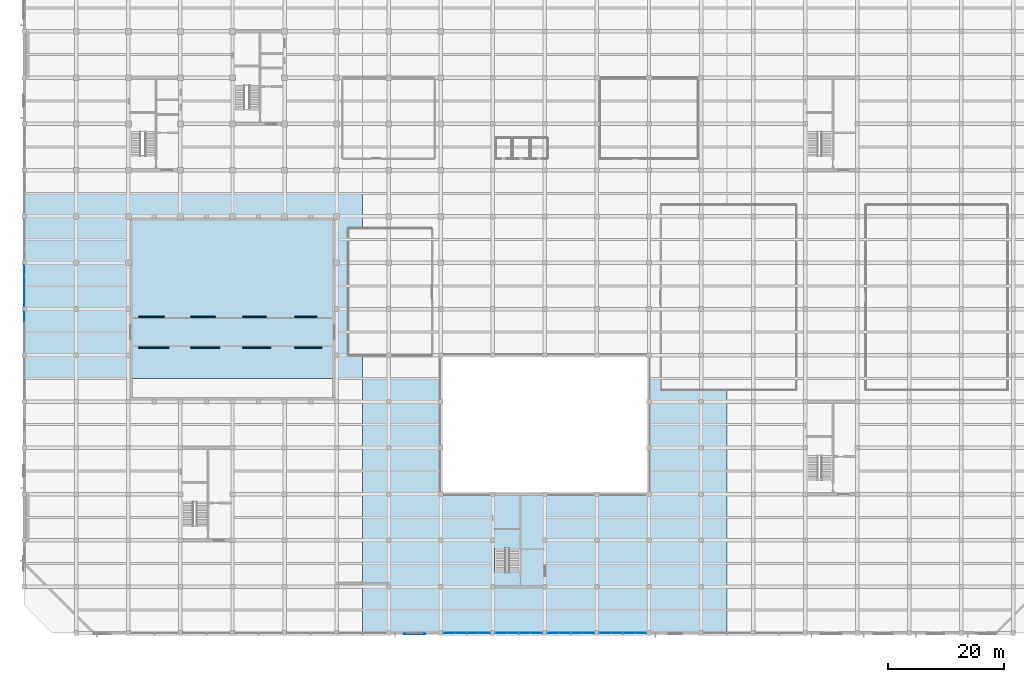
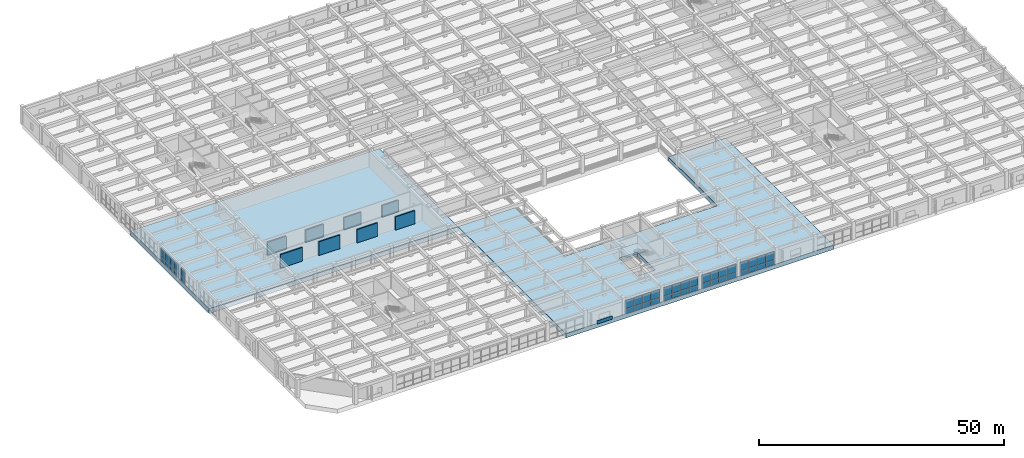
# One storey, part 21 of 50: 51 plates, 3 slabs, 7 elements without a shape of their own.
"""IFC4 building model written with IfcOpenShell, lengths in metres."""

from ifc_helpers import new_model, si_unit, direction, frame, frame_2d, origin, place, context, subcontext, project, spatial, polyline, rectangle, outline, extrude, material, layer, layer_set, type_object, element, aggregate, save


model = new_model("IFC4")

# Units and contexts
model_context = context("Model", 3, precision=1e-05, world=origin(), true_north=direction((0.0, 1.0)))
body_context = subcontext(model_context, "Body", "Model", "MODEL_VIEW")
ifc_project = project(units=[si_unit("LENGTHUNIT", "METRE"), si_unit("AREAUNIT", "SQUARE_METRE"), si_unit("VOLUMEUNIT", "CUBIC_METRE"), si_unit("PLANEANGLEUNIT", "RADIAN"), si_unit("MASSUNIT", "GRAM", prefix="KILO")], contexts=[model_context])

# Site, building, storey
site_placement = place(None, origin())
site = spatial("IfcSite", under=ifc_project, at=site_placement, CompositionType="ELEMENT")
building_placement = place(site_placement, origin())
building = spatial("IfcBuilding", under=site, at=building_placement, Name="Zaverband Oceanarium and Marine Research Institute", CompositionType="ELEMENT")
storey_placement = place(building_placement, frame((0.0, 0.0, 4.5)))
storey = spatial("IfcBuildingStorey", under=building, at=storey_placement, Name="L01", CompositionType="ELEMENT", Elevation=4.5)

# Plates
ifc_material_1 = material(Name="Monolithic cast polymethyl methacrylate (PMMA) viewing acrylic")
ifc_layer_1 = layer(ifc_material_1, 0.239990234375, Name="Monolithic cast polymethyl methacrylate (PMMA) viewing acrylic")
ifc_layer_set_1 = layer_set([ifc_layer_1], Name="Monolithic cast polymethyl methacrylate (PMMA) viewing acrylic")
plate_type_1 = type_object("IfcPlateType", Name="AP-3800x2900x240", PredefinedType="SHEET", material=ifc_layer_set_1)
plate_1_placement = place(storey_placement, frame((46.800048828125, 54.64990234375, 0.0), z_axis=(0.0, 0.0, 1.0), x_axis=(1.0, 0.0, 0.0)))
element("IfcPlate", 1, at=plate_1_placement, inside=storey, type_object=plate_type_1, Name="Monolithic cast-acrylic viewport / tunnel panel AP-3800x2900x240", PredefinedType="SHEET", context=body_context, shape_type="SweptSolid", body=[
    extrude(rectangle(XDim=3.800048828125, YDim=0.239990234375, at=frame_2d((1.89990234375, 0.0))), origin(), (0.0, 0.0, 1.0), 2.89990234375),
])
ifc_layer_2 = layer(ifc_material_1, 0.260009765625, Name="Monolithic cast polymethyl methacrylate (PMMA) viewing acrylic")
ifc_layer_set_2 = layer_set([ifc_layer_2], Name="Monolithic cast polymethyl methacrylate (PMMA) viewing acrylic")
plate_type_2 = type_object("IfcPlateType", Name="AP-4000x3000x260", PredefinedType="SHEET", material=ifc_layer_set_2)
plate_2_placement = place(storey_placement, frame((37.800048828125, 54.64990234375, 0.0), z_axis=(0.0, 0.0, 1.0), x_axis=(1.0, 0.0, 0.0)))
element("IfcPlate", 2, at=plate_2_placement, inside=storey, type_object=plate_type_2, Name="Monolithic cast-acrylic viewport / tunnel panel AP-4000x3000x260", PredefinedType="SHEET", context=body_context, shape_type="SweptSolid", body=[
    extrude(rectangle(XDim=4.0, YDim=0.260009765625, at=frame_2d((2.0, 0.0))), origin(), (0.0, 0.0, 1.0), 3.0),
])
ifc_layer_3 = layer(ifc_material_1, 0.280029296875, Name="Monolithic cast polymethyl methacrylate (PMMA) viewing acrylic")
ifc_layer_set_3 = layer_set([ifc_layer_3], Name="Monolithic cast polymethyl methacrylate (PMMA) viewing acrylic")
plate_type_3 = type_object("IfcPlateType", Name="AP-4200x3100x280", PredefinedType="SHEET", material=ifc_layer_set_3)
plate_3_placement = place(storey_placement, frame((28.800048828125, 54.64990234375, 0.0), z_axis=(0.0, 0.0, 1.0), x_axis=(1.0, 0.0, 0.0)))
element("IfcPlate", 3, at=plate_3_placement, inside=storey, type_object=plate_type_3, Name="Monolithic cast-acrylic viewport / tunnel panel AP-4200x3100x280", PredefinedType="SHEET", context=body_context, shape_type="SweptSolid", body=[
    extrude(rectangle(XDim=4.199951171875, YDim=0.280029296875, at=frame_2d((2.10009765625, 0.0))), origin(), (0.0, 0.0, 1.0), 3.10009765625),
])
ifc_layer_4 = layer(ifc_material_1, 0.280029296875, Name="Monolithic cast polymethyl methacrylate (PMMA) viewing acrylic")
ifc_layer_set_4 = layer_set([ifc_layer_4], Name="Monolithic cast polymethyl methacrylate (PMMA) viewing acrylic")
plate_type_4 = type_object("IfcPlateType", Name="AP-4400x3200x280", PredefinedType="SHEET", material=ifc_layer_set_4)
plate_4_placement = place(storey_placement, frame((19.800048828125, 54.64990234375, 0.0), z_axis=(0.0, 0.0, 1.0), x_axis=(1.0, 0.0, 0.0)))
element("IfcPlate", 4, at=plate_4_placement, inside=storey, type_object=plate_type_4, Name="Monolithic cast-acrylic viewport / tunnel panel AP-4400x3200x280", PredefinedType="SHEET", context=body_context, shape_type="SweptSolid", body=[
    extrude(rectangle(XDim=4.39990234375, YDim=0.280029296875, at=frame_2d((2.199951171875, 0.0))), origin(), (0.0, 0.0, 1.0), 3.199951171875),
])
ifc_layer_5 = layer(ifc_material_1, 0.300048828125, Name="Monolithic cast polymethyl methacrylate (PMMA) viewing acrylic")
ifc_layer_set_5 = layer_set([ifc_layer_5], Name="Monolithic cast polymethyl methacrylate (PMMA) viewing acrylic")
plate_type_5 = type_object("IfcPlateType", Name="AP-4600x3300x300", PredefinedType="SHEET", material=ifc_layer_set_5)
plate_5_placement = place(storey_placement, frame((46.800048828125, 49.35009765625, 0.0), z_axis=(0.0, 0.0, 1.0), x_axis=(1.0, 0.0, 0.0)))
element("IfcPlate", 5, at=plate_5_placement, inside=storey, type_object=plate_type_5, Name="Monolithic cast-acrylic viewport / tunnel panel AP-4600x3300x300", PredefinedType="SHEET", context=body_context, shape_type="SweptSolid", body=[
    extrude(rectangle(XDim=4.599853515625, YDim=0.300048828125, at=frame_2d((2.2998046875, 0.0))), origin(), (0.0, 0.0, 1.0), 3.300048828125),
])
ifc_layer_6 = layer(ifc_material_1, 0.300048828125, Name="Monolithic cast polymethyl methacrylate (PMMA) viewing acrylic")
ifc_layer_set_6 = layer_set([ifc_layer_6], Name="Monolithic cast polymethyl methacrylate (PMMA) viewing acrylic")
plate_type_6 = type_object("IfcPlateType", Name="AP-4800x3300x300", PredefinedType="SHEET", material=ifc_layer_set_6)
plate_6_placement = place(storey_placement, frame((37.800048828125, 49.35009765625, 0.0), z_axis=(0.0, 0.0, 1.0), x_axis=(1.0, 0.0, 0.0)))
element("IfcPlate", 6, at=plate_6_placement, inside=storey, type_object=plate_type_6, Name="Monolithic cast-acrylic viewport / tunnel panel AP-4800x3300x300", PredefinedType="SHEET", context=body_context, shape_type="SweptSolid", body=[
    extrude(rectangle(XDim=4.800048828125, YDim=0.300048828125, at=frame_2d((2.39990234375, 0.0))), origin(), (0.0, 0.0, 1.0), 3.300048828125),
])
ifc_layer_7 = layer(ifc_material_1, 0.320068359375, Name="Monolithic cast polymethyl methacrylate (PMMA) viewing acrylic")
ifc_layer_set_7 = layer_set([ifc_layer_7], Name="Monolithic cast polymethyl methacrylate (PMMA) viewing acrylic")
plate_type_7 = type_object("IfcPlateType", Name="AP-5000x3400x320", PredefinedType="SHEET", material=ifc_layer_set_7)
plate_7_placement = place(storey_placement, frame((28.800048828125, 49.35009765625, 0.0), z_axis=(0.0, 0.0, 1.0), x_axis=(1.0, 0.0, 0.0)))
element("IfcPlate", 7, at=plate_7_placement, inside=storey, type_object=plate_type_7, Name="Monolithic cast-acrylic viewport / tunnel panel AP-5000x3400x320", PredefinedType="SHEET", context=body_context, shape_type="SweptSolid", body=[
    extrude(rectangle(XDim=5.0, YDim=0.320068359375, at=frame_2d((2.5, 0.0))), origin(), (0.0, 0.0, 1.0), 3.39990234375),
])
ifc_layer_8 = layer(ifc_material_1, 0.320068359375, Name="Monolithic cast polymethyl methacrylate (PMMA) viewing acrylic")
ifc_layer_set_8 = layer_set([ifc_layer_8], Name="Monolithic cast polymethyl methacrylate (PMMA) viewing acrylic")
plate_type_8 = type_object("IfcPlateType", Name="AP-5200x3400x320", PredefinedType="SHEET", material=ifc_layer_set_8)
plate_8_placement = place(storey_placement, frame((19.800048828125, 49.35009765625, 0.0), z_axis=(0.0, 0.0, 1.0), x_axis=(1.0, 0.0, 0.0)))
element("IfcPlate", 8, at=plate_8_placement, inside=storey, type_object=plate_type_8, Name="Monolithic cast-acrylic viewport / tunnel panel AP-5200x3400x320", PredefinedType="SHEET", context=body_context, shape_type="SweptSolid", body=[
    extrude(rectangle(XDim=5.199951171875, YDim=0.320068359375, at=frame_2d((2.60009765625, 0.0))), origin(), (0.0, 0.0, 1.0), 3.39990234375),
])

# Curtain wall, plate
ifc_material_2 = material(Name="Thermally broken anodized aluminium and solar-control glass", Category="aluminium")
curtain_wall_type = type_object("IfcCurtainWallType", Name="CW-UNIT-1800", PredefinedType="NOTDEFINED", material=ifc_material_2)
curtain_wall_1_placement = place(storey_placement, origin())
curtain_wall_1 = element("IfcCurtainWall", 9, at=curtain_wall_1_placement, inside=storey, type_object=curtain_wall_type, Name="Unitised glazed curtain wall CW-030", PredefinedType="NOTDEFINED")
ifc_material_3 = material(Name="Low-E double-glazed solar-control glass", Category="glass")
ifc_layer_9 = layer(ifc_material_3, 0.033935546875, Name="Low-E double-glazed solar-control glass")
ifc_layer_set_9 = layer_set([ifc_layer_9], Name="Low-E double-glazed solar-control glass")
plate_type_9 = type_object("IfcPlateType", Name="CWP-1515x1211", PredefinedType="CURTAIN_PANEL", material=ifc_layer_set_9)
plate_9_placement = place(storey_placement, frame((0.0, 53.87744140625, 0.050048828125), z_axis=(0.0, 0.0, 1.0), x_axis=(0.0, 1.0, 0.0)))
plate_9 = element("IfcPlate", 10, at=plate_9_placement, type_object=plate_type_9, Name="Glazed curtain wall panel CWP-1515x1211", PredefinedType="CURTAIN_PANEL", context=body_context, shape_type="SweptSolid", body=[
    extrude(rectangle(XDim=1.637451171875, YDim=0.033935546875, at=frame_2d((0.81884765625, 0.0))), origin(), (0.0, 0.0, 1.0), 1.2109375),
])

# Curtain wall, plates
curtain_wall_2_placement = place(storey_placement, origin())
curtain_wall_2 = element("IfcCurtainWall", 11, at=curtain_wall_2_placement, inside=storey, type_object=curtain_wall_type, Name="Unitised glazed curtain wall CW-031", PredefinedType="NOTDEFINED")
plate_10_placement = place(storey_placement, frame((0.0, 56.485107421875, 0.050048828125), z_axis=(0.0, 0.0, 1.0), x_axis=(0.0, 1.0, 0.0)))
plate_10 = element("IfcPlate", 12, at=plate_10_placement, type_object=plate_type_9, Name="Glazed curtain wall panel CWP-1515x1211", PredefinedType="CURTAIN_PANEL", context=body_context, shape_type="SweptSolid", body=[
    extrude(rectangle(XDim=1.637451171875, YDim=0.033935546875, at=frame_2d((0.81884765625, 0.0))), origin(), (0.0, 0.0, 1.0), 1.2109375),
])
plate_11_placement = place(storey_placement, frame((0.0, 58.282470703125, 0.050048828125), z_axis=(0.0, 0.0, 1.0), x_axis=(0.0, 1.0, 0.0)))
plate_11 = element("IfcPlate", 13, at=plate_11_placement, type_object=plate_type_9, Name="Glazed curtain wall panel CWP-1515x1211", PredefinedType="CURTAIN_PANEL", context=body_context, shape_type="SweptSolid", body=[
    extrude(rectangle(XDim=1.637451171875, YDim=0.033935546875, at=frame_2d((0.81884765625, 0.0))), origin(), (0.0, 0.0, 1.0), 1.2109375),
])
plate_12_placement = place(storey_placement, frame((0.0, 60.080078125, 0.050048828125), z_axis=(0.0, 0.0, 1.0), x_axis=(0.0, 1.0, 0.0)))
plate_12 = element("IfcPlate", 14, at=plate_12_placement, type_object=plate_type_9, Name="Glazed curtain wall panel CWP-1515x1211", PredefinedType="CURTAIN_PANEL", context=body_context, shape_type="SweptSolid", body=[
    extrude(rectangle(XDim=1.637451171875, YDim=0.033935546875, at=frame_2d((0.81884765625, 0.0))), origin(), (0.0, 0.0, 1.0), 1.2109375),
])
plate_13_placement = place(storey_placement, frame((0.0, 61.87744140625, 0.050048828125), z_axis=(0.0, 0.0, 1.0), x_axis=(0.0, 1.0, 0.0)))
plate_13 = element("IfcPlate", 15, at=plate_13_placement, type_object=plate_type_9, Name="Glazed curtain wall panel CWP-1515x1211", PredefinedType="CURTAIN_PANEL", context=body_context, shape_type="SweptSolid", body=[
    extrude(rectangle(XDim=1.637451171875, YDim=0.033935546875, at=frame_2d((0.81884765625, 0.0))), origin(), (0.0, 0.0, 1.0), 1.2109375),
])

# Plate
ifc_layer_10 = layer(ifc_material_3, 0.035888671875, Name="Low-E double-glazed solar-control glass")
ifc_layer_set_10 = layer_set([ifc_layer_10], Name="Low-E double-glazed solar-control glass")
plate_type_10 = type_object("IfcPlateType", Name="CWP-1515x2089", PredefinedType="CURTAIN_PANEL", material=ifc_layer_set_10)
plate_14_placement = place(storey_placement, frame((0.0, 53.87744140625, 1.3310546875), z_axis=(0.0, 0.0, 1.0), x_axis=(0.0, 1.0, 0.0)))
plate_14 = element("IfcPlate", 16, at=plate_14_placement, type_object=plate_type_10, Name="Glazed curtain wall panel CWP-1515x2089", PredefinedType="CURTAIN_PANEL", context=body_context, shape_type="SweptSolid", body=[
    extrude(rectangle(XDim=1.637451171875, YDim=0.035888671875, at=frame_2d((0.81884765625, 0.0))), origin(), (0.0, 0.0, 1.0), 2.0888671875),
])

aggregate(curtain_wall_1, [plate_9, plate_14])

plate_15_placement = place(storey_placement, frame((0.0, 56.485107421875, 1.3310546875), z_axis=(0.0, 0.0, 1.0), x_axis=(0.0, 1.0, 0.0)))
plate_15 = element("IfcPlate", 17, at=plate_15_placement, type_object=plate_type_10, Name="Glazed curtain wall panel CWP-1515x2089", PredefinedType="CURTAIN_PANEL", context=body_context, shape_type="SweptSolid", body=[
    extrude(rectangle(XDim=1.637451171875, YDim=0.035888671875, at=frame_2d((0.81884765625, 0.0))), origin(), (0.0, 0.0, 1.0), 2.0888671875),
])

plate_16_placement = place(storey_placement, frame((0.0, 58.282470703125, 1.3310546875), z_axis=(0.0, 0.0, 1.0), x_axis=(0.0, 1.0, 0.0)))
plate_16 = element("IfcPlate", 18, at=plate_16_placement, type_object=plate_type_10, Name="Glazed curtain wall panel CWP-1515x2089", PredefinedType="CURTAIN_PANEL", context=body_context, shape_type="SweptSolid", body=[
    extrude(rectangle(XDim=1.637451171875, YDim=0.035888671875, at=frame_2d((0.81884765625, 0.0))), origin(), (0.0, 0.0, 1.0), 2.0888671875),
])

plate_17_placement = place(storey_placement, frame((0.0, 60.080078125, 1.3310546875), z_axis=(0.0, 0.0, 1.0), x_axis=(0.0, 1.0, 0.0)))
plate_17 = element("IfcPlate", 19, at=plate_17_placement, type_object=plate_type_10, Name="Glazed curtain wall panel CWP-1515x2089", PredefinedType="CURTAIN_PANEL", context=body_context, shape_type="SweptSolid", body=[
    extrude(rectangle(XDim=1.637451171875, YDim=0.035888671875, at=frame_2d((0.81884765625, 0.0))), origin(), (0.0, 0.0, 1.0), 2.0888671875),
])

plate_18_placement = place(storey_placement, frame((0.0, 61.87744140625, 1.3310546875), z_axis=(0.0, 0.0, 1.0), x_axis=(0.0, 1.0, 0.0)))
plate_18 = element("IfcPlate", 20, at=plate_18_placement, type_object=plate_type_10, Name="Glazed curtain wall panel CWP-1515x2089", PredefinedType="CURTAIN_PANEL", context=body_context, shape_type="SweptSolid", body=[
    extrude(rectangle(XDim=1.637451171875, YDim=0.035888671875, at=frame_2d((0.81884765625, 0.0))), origin(), (0.0, 0.0, 1.0), 2.0888671875),
])

aggregate(curtain_wall_2, [plate_10, plate_15, plate_11, plate_16, plate_12, plate_17, plate_13, plate_18])

# Curtain wall, plates
curtain_wall_3_placement = place(storey_placement, origin())
curtain_wall_3 = element("IfcCurtainWall", 21, at=curtain_wall_3_placement, inside=storey, type_object=curtain_wall_type, Name="Unitised glazed curtain wall CW-017", PredefinedType="NOTDEFINED")
ifc_layer_11 = layer(ifc_material_3, 0.033935546875, Name="Low-E double-glazed solar-control glass")
ifc_layer_set_11 = layer_set([ifc_layer_11], Name="Low-E double-glazed solar-control glass")
plate_type_11 = type_object("IfcPlateType", Name="CWP-1765x1211", PredefinedType="CURTAIN_PANEL", material=ifc_layer_set_11)
plate_19_placement = place(storey_placement, frame((72.485107421875, 0.0, 0.050048828125), z_axis=(0.0, 0.0, 1.0), x_axis=(1.0, 0.0, 0.0)))
plate_19 = element("IfcPlate", 22, at=plate_19_placement, type_object=plate_type_11, Name="Glazed curtain wall panel CWP-1765x1211", PredefinedType="CURTAIN_PANEL", context=body_context, shape_type="SweptSolid", body=[
    extrude(rectangle(XDim=1.887451171875, YDim=0.033935546875, at=frame_2d((0.94384765625, 0.0))), origin(), (0.0, 0.0, 1.0), 1.2109375),
])
plate_20_placement = place(storey_placement, frame((74.532470703125, 0.0, 0.050048828125), z_axis=(0.0, 0.0, 1.0), x_axis=(1.0, 0.0, 0.0)))
plate_20 = element("IfcPlate", 23, at=plate_20_placement, type_object=plate_type_11, Name="Glazed curtain wall panel CWP-1765x1211", PredefinedType="CURTAIN_PANEL", context=body_context, shape_type="SweptSolid", body=[
    extrude(rectangle(XDim=1.887451171875, YDim=0.033935546875, at=frame_2d((0.94384765625, 0.0))), origin(), (0.0, 0.0, 1.0), 1.2109375),
])
plate_21_placement = place(storey_placement, frame((76.580078125, 0.0, 0.050048828125), z_axis=(0.0, 0.0, 1.0), x_axis=(1.0, 0.0, 0.0)))
plate_21 = element("IfcPlate", 24, at=plate_21_placement, type_object=plate_type_11, Name="Glazed curtain wall panel CWP-1765x1211", PredefinedType="CURTAIN_PANEL", context=body_context, shape_type="SweptSolid", body=[
    extrude(rectangle(XDim=1.887451171875, YDim=0.033935546875, at=frame_2d((0.94384765625, 0.0))), origin(), (0.0, 0.0, 1.0), 1.2109375),
])
plate_22_placement = place(storey_placement, frame((78.62744140625, 0.0, 0.050048828125), z_axis=(0.0, 0.0, 1.0), x_axis=(1.0, 0.0, 0.0)))
plate_22 = element("IfcPlate", 25, at=plate_22_placement, type_object=plate_type_11, Name="Glazed curtain wall panel CWP-1765x1211", PredefinedType="CURTAIN_PANEL", context=body_context, shape_type="SweptSolid", body=[
    extrude(rectangle(XDim=1.887451171875, YDim=0.033935546875, at=frame_2d((0.94384765625, 0.0))), origin(), (0.0, 0.0, 1.0), 1.2109375),
])

curtain_wall_4_placement = place(storey_placement, origin())
curtain_wall_4 = element("IfcCurtainWall", 26, at=curtain_wall_4_placement, inside=storey, type_object=curtain_wall_type, Name="Unitised glazed curtain wall CW-018", PredefinedType="NOTDEFINED")
plate_23_placement = place(storey_placement, frame((81.485107421875, 0.0, 0.050048828125), z_axis=(0.0, 0.0, 1.0), x_axis=(1.0, 0.0, 0.0)))
plate_23 = element("IfcPlate", 27, at=plate_23_placement, type_object=plate_type_11, Name="Glazed curtain wall panel CWP-1765x1211", PredefinedType="CURTAIN_PANEL", context=body_context, shape_type="SweptSolid", body=[
    extrude(rectangle(XDim=1.887451171875, YDim=0.033935546875, at=frame_2d((0.94384765625, 0.0))), origin(), (0.0, 0.0, 1.0), 1.2109375),
])
plate_24_placement = place(storey_placement, frame((83.532470703125, 0.0, 0.050048828125), z_axis=(0.0, 0.0, 1.0), x_axis=(1.0, 0.0, 0.0)))
plate_24 = element("IfcPlate", 28, at=plate_24_placement, type_object=plate_type_11, Name="Glazed curtain wall panel CWP-1765x1211", PredefinedType="CURTAIN_PANEL", context=body_context, shape_type="SweptSolid", body=[
    extrude(rectangle(XDim=1.887451171875, YDim=0.033935546875, at=frame_2d((0.94384765625, 0.0))), origin(), (0.0, 0.0, 1.0), 1.2109375),
])
plate_25_placement = place(storey_placement, frame((85.580078125, 0.0, 0.050048828125), z_axis=(0.0, 0.0, 1.0), x_axis=(1.0, 0.0, 0.0)))
plate_25 = element("IfcPlate", 29, at=plate_25_placement, type_object=plate_type_11, Name="Glazed curtain wall panel CWP-1765x1211", PredefinedType="CURTAIN_PANEL", context=body_context, shape_type="SweptSolid", body=[
    extrude(rectangle(XDim=1.887451171875, YDim=0.033935546875, at=frame_2d((0.94384765625, 0.0))), origin(), (0.0, 0.0, 1.0), 1.2109375),
])
plate_26_placement = place(storey_placement, frame((87.62744140625, 0.0, 0.050048828125), z_axis=(0.0, 0.0, 1.0), x_axis=(1.0, 0.0, 0.0)))
plate_26 = element("IfcPlate", 30, at=plate_26_placement, type_object=plate_type_11, Name="Glazed curtain wall panel CWP-1765x1211", PredefinedType="CURTAIN_PANEL", context=body_context, shape_type="SweptSolid", body=[
    extrude(rectangle(XDim=1.887451171875, YDim=0.033935546875, at=frame_2d((0.94384765625, 0.0))), origin(), (0.0, 0.0, 1.0), 1.2109375),
])

curtain_wall_5_placement = place(storey_placement, origin())
curtain_wall_5 = element("IfcCurtainWall", 31, at=curtain_wall_5_placement, inside=storey, type_object=curtain_wall_type, Name="Unitised glazed curtain wall CW-019", PredefinedType="NOTDEFINED")
plate_27_placement = place(storey_placement, frame((90.485107421875, 0.0, 0.050048828125), z_axis=(0.0, 0.0, 1.0), x_axis=(1.0, 0.0, 0.0)))
plate_27 = element("IfcPlate", 32, at=plate_27_placement, type_object=plate_type_11, Name="Glazed curtain wall panel CWP-1765x1211", PredefinedType="CURTAIN_PANEL", context=body_context, shape_type="SweptSolid", body=[
    extrude(rectangle(XDim=1.887451171875, YDim=0.033935546875, at=frame_2d((0.94384765625, 0.0))), origin(), (0.0, 0.0, 1.0), 1.2109375),
])
plate_28_placement = place(storey_placement, frame((92.532470703125, 0.0, 0.050048828125), z_axis=(0.0, 0.0, 1.0), x_axis=(1.0, 0.0, 0.0)))
plate_28 = element("IfcPlate", 33, at=plate_28_placement, type_object=plate_type_11, Name="Glazed curtain wall panel CWP-1765x1211", PredefinedType="CURTAIN_PANEL", context=body_context, shape_type="SweptSolid", body=[
    extrude(rectangle(XDim=1.887451171875, YDim=0.033935546875, at=frame_2d((0.94384765625, 0.0))), origin(), (0.0, 0.0, 1.0), 1.2109375),
])
plate_29_placement = place(storey_placement, frame((94.580078125, 0.0, 0.050048828125), z_axis=(0.0, 0.0, 1.0), x_axis=(1.0, 0.0, 0.0)))
plate_29 = element("IfcPlate", 34, at=plate_29_placement, type_object=plate_type_11, Name="Glazed curtain wall panel CWP-1765x1211", PredefinedType="CURTAIN_PANEL", context=body_context, shape_type="SweptSolid", body=[
    extrude(rectangle(XDim=1.887451171875, YDim=0.033935546875, at=frame_2d((0.94384765625, 0.0))), origin(), (0.0, 0.0, 1.0), 1.2109375),
])
plate_30_placement = place(storey_placement, frame((96.62744140625, 0.0, 0.050048828125), z_axis=(0.0, 0.0, 1.0), x_axis=(1.0, 0.0, 0.0)))
plate_30 = element("IfcPlate", 35, at=plate_30_placement, type_object=plate_type_11, Name="Glazed curtain wall panel CWP-1765x1211", PredefinedType="CURTAIN_PANEL", context=body_context, shape_type="SweptSolid", body=[
    extrude(rectangle(XDim=1.887451171875, YDim=0.033935546875, at=frame_2d((0.94384765625, 0.0))), origin(), (0.0, 0.0, 1.0), 1.2109375),
])

curtain_wall_6_placement = place(storey_placement, origin())
curtain_wall_6 = element("IfcCurtainWall", 36, at=curtain_wall_6_placement, inside=storey, type_object=curtain_wall_type, Name="Unitised glazed curtain wall CW-020", PredefinedType="NOTDEFINED")
plate_31_placement = place(storey_placement, frame((99.485107421875, 0.0, 0.050048828125), z_axis=(0.0, 0.0, 1.0), x_axis=(1.0, 0.0, 0.0)))
plate_31 = element("IfcPlate", 37, at=plate_31_placement, type_object=plate_type_11, Name="Glazed curtain wall panel CWP-1765x1211", PredefinedType="CURTAIN_PANEL", context=body_context, shape_type="SweptSolid", body=[
    extrude(rectangle(XDim=1.887451171875, YDim=0.033935546875, at=frame_2d((0.94384765625, 0.0))), origin(), (0.0, 0.0, 1.0), 1.2109375),
])
plate_32_placement = place(storey_placement, frame((101.532470703125, 0.0, 0.050048828125), z_axis=(0.0, 0.0, 1.0), x_axis=(1.0, 0.0, 0.0)))
plate_32 = element("IfcPlate", 38, at=plate_32_placement, type_object=plate_type_11, Name="Glazed curtain wall panel CWP-1765x1211", PredefinedType="CURTAIN_PANEL", context=body_context, shape_type="SweptSolid", body=[
    extrude(rectangle(XDim=1.887451171875, YDim=0.033935546875, at=frame_2d((0.94384765625, 0.0))), origin(), (0.0, 0.0, 1.0), 1.2109375),
])
plate_33_placement = place(storey_placement, frame((103.580078125, 0.0, 0.050048828125), z_axis=(0.0, 0.0, 1.0), x_axis=(1.0, 0.0, 0.0)))
plate_33 = element("IfcPlate", 39, at=plate_33_placement, type_object=plate_type_11, Name="Glazed curtain wall panel CWP-1765x1211", PredefinedType="CURTAIN_PANEL", context=body_context, shape_type="SweptSolid", body=[
    extrude(rectangle(XDim=1.887451171875, YDim=0.033935546875, at=frame_2d((0.94384765625, 0.0))), origin(), (0.0, 0.0, 1.0), 1.2109375),
])
plate_34_placement = place(storey_placement, frame((105.62744140625, 0.0, 0.050048828125), z_axis=(0.0, 0.0, 1.0), x_axis=(1.0, 0.0, 0.0)))
plate_34 = element("IfcPlate", 40, at=plate_34_placement, type_object=plate_type_11, Name="Glazed curtain wall panel CWP-1765x1211", PredefinedType="CURTAIN_PANEL", context=body_context, shape_type="SweptSolid", body=[
    extrude(rectangle(XDim=1.887451171875, YDim=0.033935546875, at=frame_2d((0.94384765625, 0.0))), origin(), (0.0, 0.0, 1.0), 1.2109375),
])

# Plate
ifc_layer_12 = layer(ifc_material_3, 0.035888671875, Name="Low-E double-glazed solar-control glass")
ifc_layer_set_12 = layer_set([ifc_layer_12], Name="Low-E double-glazed solar-control glass")
plate_type_12 = type_object("IfcPlateType", Name="CWP-1765x2089", PredefinedType="CURTAIN_PANEL", material=ifc_layer_set_12)
plate_35_placement = place(storey_placement, frame((72.485107421875, 0.0, 1.3310546875), z_axis=(0.0, 0.0, 1.0), x_axis=(1.0, 0.0, 0.0)))
plate_35 = element("IfcPlate", 41, at=plate_35_placement, type_object=plate_type_12, Name="Glazed curtain wall panel CWP-1765x2089", PredefinedType="CURTAIN_PANEL", context=body_context, shape_type="SweptSolid", body=[
    extrude(rectangle(XDim=1.887451171875, YDim=0.035888671875, at=frame_2d((0.94384765625, 0.0))), origin(), (0.0, 0.0, 1.0), 2.0888671875),
])

plate_36_placement = place(storey_placement, frame((74.532470703125, 0.0, 1.3310546875), z_axis=(0.0, 0.0, 1.0), x_axis=(1.0, 0.0, 0.0)))
plate_36 = element("IfcPlate", 42, at=plate_36_placement, type_object=plate_type_12, Name="Glazed curtain wall panel CWP-1765x2089", PredefinedType="CURTAIN_PANEL", context=body_context, shape_type="SweptSolid", body=[
    extrude(rectangle(XDim=1.887451171875, YDim=0.035888671875, at=frame_2d((0.94384765625, 0.0))), origin(), (0.0, 0.0, 1.0), 2.0888671875),
])

plate_37_placement = place(storey_placement, frame((76.580078125, 0.0, 1.3310546875), z_axis=(0.0, 0.0, 1.0), x_axis=(1.0, 0.0, 0.0)))
plate_37 = element("IfcPlate", 43, at=plate_37_placement, type_object=plate_type_12, Name="Glazed curtain wall panel CWP-1765x2089", PredefinedType="CURTAIN_PANEL", context=body_context, shape_type="SweptSolid", body=[
    extrude(rectangle(XDim=1.887451171875, YDim=0.035888671875, at=frame_2d((0.94384765625, 0.0))), origin(), (0.0, 0.0, 1.0), 2.0888671875),
])

plate_38_placement = place(storey_placement, frame((78.62744140625, 0.0, 1.3310546875), z_axis=(0.0, 0.0, 1.0), x_axis=(1.0, 0.0, 0.0)))
plate_38 = element("IfcPlate", 44, at=plate_38_placement, type_object=plate_type_12, Name="Glazed curtain wall panel CWP-1765x2089", PredefinedType="CURTAIN_PANEL", context=body_context, shape_type="SweptSolid", body=[
    extrude(rectangle(XDim=1.887451171875, YDim=0.035888671875, at=frame_2d((0.94384765625, 0.0))), origin(), (0.0, 0.0, 1.0), 2.0888671875),
])

aggregate(curtain_wall_3, [plate_19, plate_35, plate_20, plate_36, plate_21, plate_37, plate_22, plate_38])

plate_39_placement = place(storey_placement, frame((81.485107421875, 0.0, 1.3310546875), z_axis=(0.0, 0.0, 1.0), x_axis=(1.0, 0.0, 0.0)))
plate_39 = element("IfcPlate", 45, at=plate_39_placement, type_object=plate_type_12, Name="Glazed curtain wall panel CWP-1765x2089", PredefinedType="CURTAIN_PANEL", context=body_context, shape_type="SweptSolid", body=[
    extrude(rectangle(XDim=1.887451171875, YDim=0.035888671875, at=frame_2d((0.94384765625, 0.0))), origin(), (0.0, 0.0, 1.0), 2.0888671875),
])

plate_40_placement = place(storey_placement, frame((83.532470703125, 0.0, 1.3310546875), z_axis=(0.0, 0.0, 1.0), x_axis=(1.0, 0.0, 0.0)))
plate_40 = element("IfcPlate", 46, at=plate_40_placement, type_object=plate_type_12, Name="Glazed curtain wall panel CWP-1765x2089", PredefinedType="CURTAIN_PANEL", context=body_context, shape_type="SweptSolid", body=[
    extrude(rectangle(XDim=1.887451171875, YDim=0.035888671875, at=frame_2d((0.94384765625, 0.0))), origin(), (0.0, 0.0, 1.0), 2.0888671875),
])

plate_41_placement = place(storey_placement, frame((85.580078125, 0.0, 1.3310546875), z_axis=(0.0, 0.0, 1.0), x_axis=(1.0, 0.0, 0.0)))
plate_41 = element("IfcPlate", 47, at=plate_41_placement, type_object=plate_type_12, Name="Glazed curtain wall panel CWP-1765x2089", PredefinedType="CURTAIN_PANEL", context=body_context, shape_type="SweptSolid", body=[
    extrude(rectangle(XDim=1.887451171875, YDim=0.035888671875, at=frame_2d((0.94384765625, 0.0))), origin(), (0.0, 0.0, 1.0), 2.0888671875),
])

plate_42_placement = place(storey_placement, frame((87.62744140625, 0.0, 1.3310546875), z_axis=(0.0, 0.0, 1.0), x_axis=(1.0, 0.0, 0.0)))
plate_42 = element("IfcPlate", 48, at=plate_42_placement, type_object=plate_type_12, Name="Glazed curtain wall panel CWP-1765x2089", PredefinedType="CURTAIN_PANEL", context=body_context, shape_type="SweptSolid", body=[
    extrude(rectangle(XDim=1.887451171875, YDim=0.035888671875, at=frame_2d((0.94384765625, 0.0))), origin(), (0.0, 0.0, 1.0), 2.0888671875),
])

aggregate(curtain_wall_4, [plate_23, plate_39, plate_24, plate_40, plate_25, plate_41, plate_26, plate_42])

plate_43_placement = place(storey_placement, frame((90.485107421875, 0.0, 1.3310546875), z_axis=(0.0, 0.0, 1.0), x_axis=(1.0, 0.0, 0.0)))
plate_43 = element("IfcPlate", 49, at=plate_43_placement, type_object=plate_type_12, Name="Glazed curtain wall panel CWP-1765x2089", PredefinedType="CURTAIN_PANEL", context=body_context, shape_type="SweptSolid", body=[
    extrude(rectangle(XDim=1.887451171875, YDim=0.035888671875, at=frame_2d((0.94384765625, 0.0))), origin(), (0.0, 0.0, 1.0), 2.0888671875),
])

plate_44_placement = place(storey_placement, frame((92.532470703125, 0.0, 1.3310546875), z_axis=(0.0, 0.0, 1.0), x_axis=(1.0, 0.0, 0.0)))
plate_44 = element("IfcPlate", 50, at=plate_44_placement, type_object=plate_type_12, Name="Glazed curtain wall panel CWP-1765x2089", PredefinedType="CURTAIN_PANEL", context=body_context, shape_type="SweptSolid", body=[
    extrude(rectangle(XDim=1.887451171875, YDim=0.035888671875, at=frame_2d((0.94384765625, 0.0))), origin(), (0.0, 0.0, 1.0), 2.0888671875),
])

plate_45_placement = place(storey_placement, frame((94.580078125, 0.0, 1.3310546875), z_axis=(0.0, 0.0, 1.0), x_axis=(1.0, 0.0, 0.0)))
plate_45 = element("IfcPlate", 51, at=plate_45_placement, type_object=plate_type_12, Name="Glazed curtain wall panel CWP-1765x2089", PredefinedType="CURTAIN_PANEL", context=body_context, shape_type="SweptSolid", body=[
    extrude(rectangle(XDim=1.887451171875, YDim=0.035888671875, at=frame_2d((0.94384765625, 0.0))), origin(), (0.0, 0.0, 1.0), 2.0888671875),
])

plate_46_placement = place(storey_placement, frame((96.62744140625, 0.0, 1.3310546875), z_axis=(0.0, 0.0, 1.0), x_axis=(1.0, 0.0, 0.0)))
plate_46 = element("IfcPlate", 52, at=plate_46_placement, type_object=plate_type_12, Name="Glazed curtain wall panel CWP-1765x2089", PredefinedType="CURTAIN_PANEL", context=body_context, shape_type="SweptSolid", body=[
    extrude(rectangle(XDim=1.887451171875, YDim=0.035888671875, at=frame_2d((0.94384765625, 0.0))), origin(), (0.0, 0.0, 1.0), 2.0888671875),
])

aggregate(curtain_wall_5, [plate_27, plate_43, plate_28, plate_44, plate_29, plate_45, plate_30, plate_46])

plate_47_placement = place(storey_placement, frame((99.485107421875, 0.0, 1.3310546875), z_axis=(0.0, 0.0, 1.0), x_axis=(1.0, 0.0, 0.0)))
plate_47 = element("IfcPlate", 53, at=plate_47_placement, type_object=plate_type_12, Name="Glazed curtain wall panel CWP-1765x2089", PredefinedType="CURTAIN_PANEL", context=body_context, shape_type="SweptSolid", body=[
    extrude(rectangle(XDim=1.887451171875, YDim=0.035888671875, at=frame_2d((0.94384765625, 0.0))), origin(), (0.0, 0.0, 1.0), 2.0888671875),
])

plate_48_placement = place(storey_placement, frame((101.532470703125, 0.0, 1.3310546875), z_axis=(0.0, 0.0, 1.0), x_axis=(1.0, 0.0, 0.0)))
plate_48 = element("IfcPlate", 54, at=plate_48_placement, type_object=plate_type_12, Name="Glazed curtain wall panel CWP-1765x2089", PredefinedType="CURTAIN_PANEL", context=body_context, shape_type="SweptSolid", body=[
    extrude(rectangle(XDim=1.887451171875, YDim=0.035888671875, at=frame_2d((0.94384765625, 0.0))), origin(), (0.0, 0.0, 1.0), 2.0888671875),
])

plate_49_placement = place(storey_placement, frame((103.580078125, 0.0, 1.3310546875), z_axis=(0.0, 0.0, 1.0), x_axis=(1.0, 0.0, 0.0)))
plate_49 = element("IfcPlate", 55, at=plate_49_placement, type_object=plate_type_12, Name="Glazed curtain wall panel CWP-1765x2089", PredefinedType="CURTAIN_PANEL", context=body_context, shape_type="SweptSolid", body=[
    extrude(rectangle(XDim=1.887451171875, YDim=0.035888671875, at=frame_2d((0.94384765625, 0.0))), origin(), (0.0, 0.0, 1.0), 2.0888671875),
])

plate_50_placement = place(storey_placement, frame((105.62744140625, 0.0, 1.3310546875), z_axis=(0.0, 0.0, 1.0), x_axis=(1.0, 0.0, 0.0)))
plate_50 = element("IfcPlate", 56, at=plate_50_placement, type_object=plate_type_12, Name="Glazed curtain wall panel CWP-1765x2089", PredefinedType="CURTAIN_PANEL", context=body_context, shape_type="SweptSolid", body=[
    extrude(rectangle(XDim=1.887451171875, YDim=0.035888671875, at=frame_2d((0.94384765625, 0.0))), origin(), (0.0, 0.0, 1.0), 2.0888671875),
])

aggregate(curtain_wall_6, [plate_31, plate_47, plate_32, plate_48, plate_33, plate_49, plate_34, plate_50])

ifc_material_4 = material(Name="Concrete C40/50 precast ochre", Category="concrete")
ifc_layer_13 = layer(ifc_material_4, 0.0849609375, Name="Concrete C40/50 precast ochre")
ifc_layer_set_13 = layer_set([ifc_layer_13], Name="Concrete C40/50 precast ochre")
plate_type_13 = type_object("IfcPlateType", Name="FRP-3600x800", PredefinedType="USERDEFINED", material=ifc_layer_set_13)
plate_51_placement = place(storey_placement, frame((65.699951171875, -0.197509765625, 0.0), z_axis=(0.0, 0.0, 1.0), x_axis=(1.0, 0.0, 0.0)))
element("IfcPlate", 57, at=plate_51_placement, inside=storey, type_object=plate_type_13, Name="Geometric precast facade cladding panel FRP-3600x800", ObjectType="FLANGE_PLATE", PredefinedType="USERDEFINED", context=body_context, shape_type="SweptSolid", body=[
    extrude(rectangle(XDim=3.60009765625, YDim=0.0849609375, at=frame_2d((1.800048828125, 0.0))), origin(), (0.0, 0.0, 1.0), 0.800048828125),
])

# Stair, slab
ifc_material_5 = material(Name="Concrete C40/50", Category="concrete")
stair_type = type_object("IfcStairType", Name="STR-POD-1800-4500", PredefinedType="HALF_TURN_STAIR", material=ifc_material_5)
stair_placement = place(storey_placement, origin())
stair = element("IfcStair", 58, at=stair_placement, inside=storey, type_object=stair_type, Name="Exit Stair ST-06 (L01)", PredefinedType="HALF_TURN_STAIR")
ifc_layer_14 = layer(ifc_material_5, 0.219970703125, Name="Concrete C40/50")
ifc_layer_set_14 = layer_set([ifc_layer_14], Name="Concrete C40/50")
slab_type_1 = type_object("IfcSlabType", Name="SLB-LND-220", PredefinedType="LANDING", material=ifc_layer_set_14)
slab_1_placement = place(storey_placement, frame((0.0, 0.0, 2.030029296875)))
slab_1 = element("IfcSlab", 59, at=slab_1_placement, type_object=slab_type_1, Name="Stair / ramp landing slab SLB-LND-220", PredefinedType="LANDING", context=body_context, shape_type="SweptSolid", body=[
    extrude(outline(polyline([(81.139892578125, 14.570068359375), (85.735107421875, 14.570068359375), (85.735107421875, 17.93505859375), (81.139892578125, 17.93505859375), (81.139892578125, 14.570068359375)])), origin(), (0.0, 0.0, 1.0), 0.219970703125),
])
aggregate(stair, [slab_1])

# Slabs
ifc_material_6 = material(Name="Concrete C50/60", Category="concrete")
ifc_layer_15 = layer(ifc_material_6, 1.050048828125, Name="Concrete C50/60")
ifc_layer_set_15 = layer_set([ifc_layer_15], Name="Concrete C50/60")
slab_type_2 = type_object("IfcSlabType", Name="SLB-XFER-1050", PredefinedType="FLOOR", material=ifc_layer_set_15)
slab_2_placement = place(storey_placement, frame((0.0, 0.0, -1.050048828125)))
element("IfcSlab", 60, at=slab_2_placement, inside=storey, type_object=slab_type_2, Name="Heavy transfer slab SLB-XFER-1050", PredefinedType="FLOOR", context=body_context, shape_type="SweptSolid", body=[
    extrude(outline(polyline([(121.485107421875, 43.985107421875), (121.485107421875, 0.0), (58.514892578125, 0.0), (58.514892578125, 43.985107421875), (72.0, 43.985107421875), (72.0, 24.0), (108.0, 24.0), (108.0, 43.985107421875), (121.485107421875, 43.985107421875)]), holes=[polyline([(81.35009765625, 17.85009765625), (81.35009765625, 10.5), (85.64990234375, 10.5), (85.64990234375, 17.85009765625), (81.35009765625, 17.85009765625)])]), origin(), (0.0, 0.0, 1.0), 1.050048828125),
])
ifc_layer_16 = layer(ifc_material_6, 1.199951171875, Name="Concrete C50/60")
ifc_layer_set_16 = layer_set([ifc_layer_16], Name="Concrete C50/60")
slab_type_3 = type_object("IfcSlabType", Name="SLB-XFER-1200", PredefinedType="FLOOR", material=ifc_layer_set_16)
slab_3_placement = place(storey_placement, frame((0.0, 0.0, -1.199951171875)))
element("IfcSlab", 61, at=slab_3_placement, inside=storey, type_object=slab_type_3, Name="Heavy transfer slab SLB-XFER-1200", PredefinedType="FLOOR", context=body_context, shape_type="SweptSolid", body=[
    extrude(outline(polyline([(0.0, 75.985107421875), (58.485107421875, 75.985107421875), (58.485107421875, 44.014892578125), (0.0, 44.014892578125), (0.0, 75.985107421875)])), origin(), (0.0, 0.0, 1.0), 1.199951171875),
])

save(model, "model.ifc")
